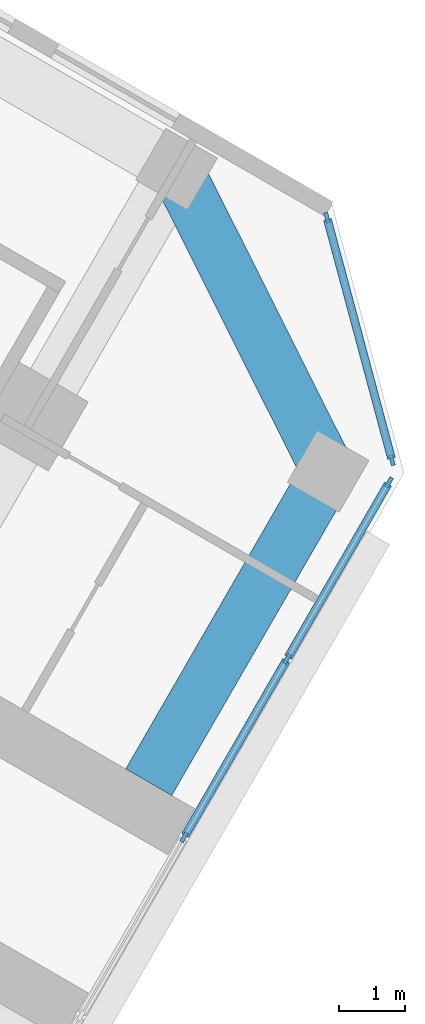
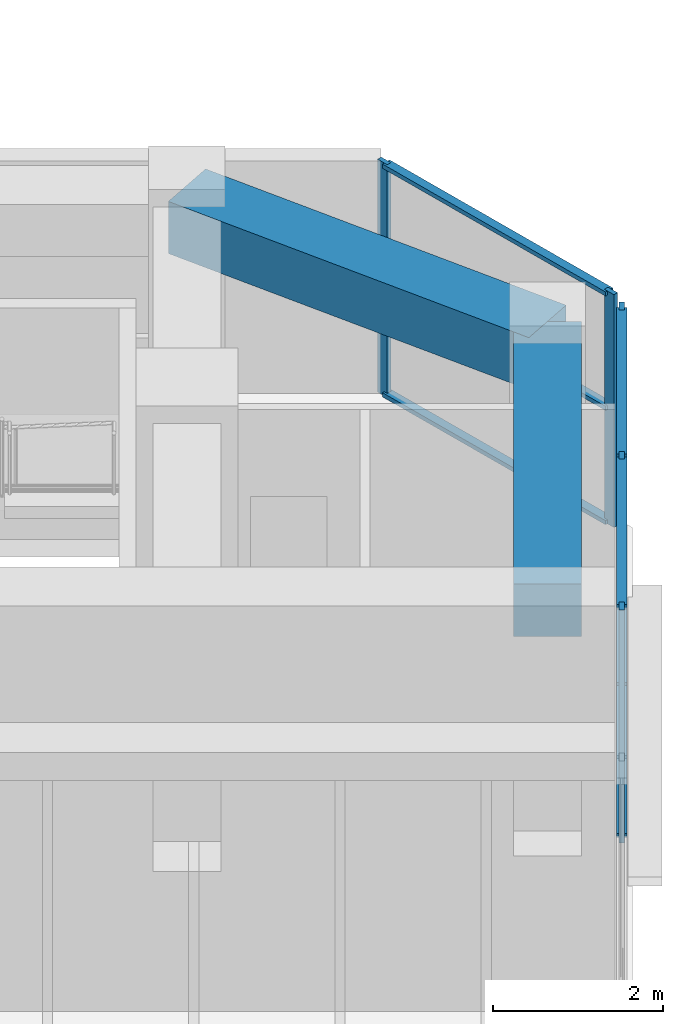
# One storey, part 8 of 19: 12 members, 2 beams, 2 elements without a shape of their own.
"""IFC4 building model written with IfcOpenShell, lengths in metres."""

import ifcopenshell
import ifcopenshell.guid

model = None  # the IFC model being written
_history = None  # IfcOwnerHistory: only IFC2X3 demands one
_inside = {}  # id of a spatial element -> (the spatial element, [elements in it])
_under = {}  # id of a project, library or spatial element -> (it, [spatial elements below it])
_declared = {}  # id of a project -> (the project, [libraries it declares])
_typed = {}  # id of a type object -> (the type object, [elements of that type])
_made_of = {}  # id of a material, layer set ... -> (it, [elements and type objects made of it])


def new_model(schema):
    """Start an empty IFC model of exactly this schema.

    Asked for "IFC4X3", IfcOpenShell would pick the latest addendum, in which some entities
    have other attributes; the version numbers below select the first issue.
    IFC2X3 requires an IfcOwnerHistory on every rooted entity: one is made here for all.
    """
    global model, _history
    if schema == "IFC4X3":
        model = ifcopenshell.file(schema_version=(4, 3, 0, 0))
    else:
        model = ifcopenshell.file(schema=schema)
    _inside.clear()
    _under.clear()
    _declared.clear()
    _typed.clear()
    _made_of.clear()
    _history = None
    if model.schema == "IFC2X3":
        org = make("IfcOrganization", Name="unknown")
        user = make(
            "IfcPersonAndOrganization",
            ThePerson=make("IfcPerson", FamilyName="unknown"),
            TheOrganization=org,
        )
        app = make(
            "IfcApplication",
            ApplicationDeveloper=org,
            Version="unknown",
            ApplicationFullName="unknown",
            ApplicationIdentifier="unknown",
        )
        _history = make(
            "IfcOwnerHistory",
            OwningUser=user,
            OwningApplication=app,
            ChangeAction="ADDED",
            CreationDate=0,
        )
    return model


def make(cls, **values):
    """One entity of the class cls with the attributes given. An attribute that is None is left unset."""
    return model.create_entity(
        cls, **{name: value for name, value in values.items() if value is not None}
    )


def rooted(cls, **values):
    """An entity with a GlobalId (a new one), such as an element, a storey or a relation."""
    return make(cls, GlobalId=ifcopenshell.guid.new(), OwnerHistory=_history, **values)


def si_unit(unit_type, name, prefix=None):
    """IfcSIUnit, for example si_unit("LENGTHUNIT", "METRE", prefix="MILLI")."""
    return make("IfcSIUnit", UnitType=unit_type, Prefix=prefix, Name=name)


def assignment(units):
    """IfcUnitAssignment: the units of a project."""
    return None if units is None else make("IfcUnitAssignment", Units=units)


def point(xyz):
    """IfcCartesianPoint."""
    return None if xyz is None else make("IfcCartesianPoint", Coordinates=xyz)


def direction(xyz):
    """IfcDirection."""
    return None if xyz is None else make("IfcDirection", DirectionRatios=xyz)


def frame(location, z_axis=None, x_axis=None):
    """IfcAxis2Placement3D, a coordinate frame: its origin and axes. An axis left out is left unset."""
    return make(
        "IfcAxis2Placement3D",
        Location=point(location),
        Axis=direction(z_axis),
        RefDirection=direction(x_axis),
    )


def frame_2d(location, x_axis=None):
    """IfcAxis2Placement2D, a coordinate frame in the plane: its origin and x axis."""
    return make(
        "IfcAxis2Placement2D", Location=point(location), RefDirection=direction(x_axis)
    )


def origin():
    """The frame at (0, 0, 0) with its axes left unset."""
    return frame((0.0, 0.0, 0.0))


def origin_2d():
    """The frame at (0, 0) in the plane with its x axis left unset."""
    return frame_2d((0.0, 0.0))


def place(relative_to, where):
    """IfcLocalPlacement: puts the frame where relative to a parent placement (None: the world)."""
    return make(
        "IfcLocalPlacement", PlacementRelTo=relative_to, RelativePlacement=where
    )


def context(
    kind, dimensions, precision=None, world=None, true_north=None, identifier=None
):
    """IfcGeometricRepresentationContext, for example the 3D "Model" context."""
    return make(
        "IfcGeometricRepresentationContext",
        ContextIdentifier=identifier,
        ContextType=kind,
        CoordinateSpaceDimension=dimensions,
        Precision=precision,
        WorldCoordinateSystem=world,
        TrueNorth=true_north,
    )


def subcontext(parent, identifier, kind, view, scale=None):
    """IfcGeometricRepresentationSubContext, for example "Body" below "Model"."""
    return make(
        "IfcGeometricRepresentationSubContext",
        ContextIdentifier=identifier,
        ContextType=kind,
        ParentContext=parent,
        TargetScale=scale,
        TargetView=view,
    )


def project(units=None, contexts=None):
    """IfcProject with its units and contexts."""
    return rooted(
        "IfcProject",
        Name="project",
        RepresentationContexts=contexts,
        UnitsInContext=assignment(units),
    )


def spatial(cls, under=None, at=None, **own):
    """A site, building, storey or space (cls), placed at a placement, below another one or the project."""
    s = rooted(cls, ObjectPlacement=at, **own)
    if under is not None:
        _under.setdefault(under.id(), (under, []))[1].append(s)
    return s


def profile(cls, at=None, kind="AREA", **sizes):
    """A parametric profile (cls). Its sizes go by their IFC names, for example OverallWidth=200.0."""
    return make(cls, ProfileType=kind, Position=at, **sizes)


def rectangle(**sizes):
    """IfcRectangleProfileDef."""
    return profile("IfcRectangleProfileDef", **sizes)


def extrude(swept, where, along, depth):
    """IfcExtrudedAreaSolid: the profile swept, set in the frame where, extruded along a direction by depth."""
    return make(
        "IfcExtrudedAreaSolid",
        SweptArea=swept,
        Position=where,
        ExtrudedDirection=direction(along),
        Depth=depth,
    )


def shape(context_of_items, identifier, shape_type, items):
    """IfcShapeRepresentation: the items that make up one representation, for example the "Body"."""
    return make(
        "IfcShapeRepresentation",
        ContextOfItems=context_of_items,
        RepresentationIdentifier=identifier,
        RepresentationType=shape_type,
        Items=items,
    )


def material(Name=None, Category=None):
    """IfcMaterial."""
    return make("IfcMaterial", Name=Name, Category=Category)


def material_profile(
    of_material, cross_section, Name=None, Category=None, Priority=None
):
    """IfcMaterialProfile: a cross section and its material."""
    return make(
        "IfcMaterialProfile",
        Name=Name,
        Material=of_material,
        Profile=cross_section,
        Priority=Priority,
        Category=Category,
    )


def profile_set(profiles, Name=None, composite=None):
    """IfcMaterialProfileSet."""
    return make(
        "IfcMaterialProfileSet",
        Name=Name,
        MaterialProfiles=profiles,
        CompositeProfile=composite,
    )


def made_of(thing, what):
    """Note that an element or type object is made of a material, layer set ...; save() writes the relation."""
    if what is not None:
        _made_of.setdefault(what.id(), (what, []))[1].append(thing)
    return thing


def type_object(cls, material=None, **own):
    """A type object (cls), such as IfcWallType, which elements share."""
    return made_of(rooted(cls, **own), material)


def element(
    cls,
    number,
    at=None,
    inside=None,
    cuts=None,
    type_object=None,
    material=None,
    context=None,
    identifier="Body",
    shape_type=None,
    held_by="IfcProductDefinitionShape",
    body=None,
    shapes=None,
    **own,
):
    """One element of the class cls, such as IfcWall. Its Tag is "e" and its number.

    at: its placement. inside: the storey or other place that contains it. cuts: it is an
    opening in that element (IfcRelVoidsElement). A single representation is given by context,
    identifier, shape_type and body (its items); several are given by shapes. held_by: the class
    of the entity that holds the representations. save() writes the other relations.
    """
    e = rooted(cls, Tag="e%d" % number, ObjectPlacement=at, **own)
    if body is not None:
        shapes = [shape(context, identifier, shape_type, body)]
    if shapes is not None:
        e.Representation = make(held_by, Representations=shapes)
    if inside is not None:
        _inside.setdefault(inside.id(), (inside, []))[1].append(e)
    if cuts is not None:
        rooted(
            "IfcRelVoidsElement", RelatingBuildingElement=cuts, RelatedOpeningElement=e
        )
    if type_object is not None:
        _typed.setdefault(type_object.id(), (type_object, []))[1].append(e)
    return made_of(e, material)


def aggregate(whole, parts):
    """IfcRelAggregates: a whole, such as a stair, and the parts it consists of."""
    return rooted("IfcRelAggregates", RelatingObject=whole, RelatedObjects=parts)


def save(model, path):
    """Write the relations noted so far, then the file.

    IfcRelAggregates (storeys below a building ...), IfcRelContainedInSpatialStructure (elements
    in a storey), IfcRelDefinesByType, IfcRelAssociatesMaterial and IfcRelDeclares: one each for
    every whole, place, type object, material and project.
    """
    for whole, parts in _under.values():
        aggregate(whole, parts)
    for where, things in _inside.values():
        rooted(
            "IfcRelContainedInSpatialStructure",
            RelatedElements=things,
            RelatingStructure=where,
        )
    for kind, things in _typed.values():
        rooted("IfcRelDefinesByType", RelatedObjects=things, RelatingType=kind)
    for what, things in _made_of.values():
        rooted("IfcRelAssociatesMaterial", RelatedObjects=things, RelatingMaterial=what)
    for by, libraries in _declared.values():
        rooted("IfcRelDeclares", RelatingContext=by, RelatedDefinitions=libraries)
    model.write(path)


model = new_model("IFC4")

# Units and contexts
model_context = context("Model", 3, precision=1e-05, world=origin(), true_north=direction((0.0, 1.0)))
body_context = subcontext(model_context, "Body", "Model", "MODEL_VIEW")
ifc_project = project(units=[si_unit("LENGTHUNIT", "METRE"), si_unit("AREAUNIT", "SQUARE_METRE"), si_unit("VOLUMEUNIT", "CUBIC_METRE"), si_unit("PLANEANGLEUNIT", "RADIAN"), si_unit("MASSUNIT", "GRAM", prefix="KILO")], contexts=[model_context])

# Site, building, storey
site_placement = place(None, origin())
site = spatial("IfcSite", under=ifc_project, at=site_placement, CompositionType="ELEMENT")
building_placement = place(site_placement, origin())
building = spatial("IfcBuilding", under=site, at=building_placement, Name="Kosmar Iwan School Tower", CompositionType="ELEMENT")
storey_placement = place(building_placement, frame((0.0, 0.0, 172.39990234375)))
storey = spatial("IfcBuildingStorey", under=building, at=storey_placement, Name="L43", CompositionType="ELEMENT", Elevation=172.39990234375)

# Curtain wall, members
ifc_material_1 = material(Name="Dark glass in black aluminium frame", Category="aluminium")
curtain_wall_type_1 = type_object("IfcCurtainWallType", Name="Tower curtain wall dark glass", PredefinedType="USERDEFINED", material=ifc_material_1)
curtain_wall_1_placement = place(storey_placement, origin())
curtain_wall_1 = element("IfcCurtainWall", 1, at=curtain_wall_1_placement, inside=storey, type_object=curtain_wall_type_1, Name="Curtain wall L43-F03", ObjectType="UNITISED CURTAIN WALL", PredefinedType="USERDEFINED")
ifc_material_2 = material(Name="Black anodised aluminium", Category="aluminium")
ifc_material_profile_1 = material_profile(ifc_material_2, rectangle(XDim=0.06005859375, YDim=0.159912109375, at=origin_2d()), Name="MULLION 60x160")
ifc_profile_set_1 = profile_set([ifc_material_profile_1], Name="Black anodised aluminium")
member_type_1 = type_object("IfcMemberType", Name="Mullion 60x160", PredefinedType="MULLION", material=ifc_profile_set_1)
member_1_placement = place(storey_placement, frame((30.631103515625, -15.8955078125, 0.0), z_axis=(0.0, 0.0, 1.0), x_axis=(-0.866025405329, 0.499999997325, 0.0)))
member_1 = element("IfcMember", 2, at=member_1_placement, type_object=member_type_1, Name="CW1 mullion 4", PredefinedType="MULLION", context=body_context, shape_type="SweptSolid", body=[
    extrude(rectangle(XDim=0.06005859375, YDim=0.159912109375, at=origin_2d()), origin(), (0.0, 0.0, 1.0), 3.35009765625),
])
member_2_placement = place(storey_placement, frame((32.1806640625, -13.21142578125, 0.0), z_axis=(0.0, 0.0, 1.0), x_axis=(-0.866025405329, 0.499999997325, 0.0)))
member_2 = element("IfcMember", 3, at=member_2_placement, type_object=member_type_1, Name="CW1 mullion 5", PredefinedType="MULLION", context=body_context, shape_type="SweptSolid", body=[
    extrude(rectangle(XDim=0.06005859375, YDim=0.159912109375, at=origin_2d()), origin(), (0.0, 0.0, 1.0), 3.35009765625),
])
member_3_placement = place(storey_placement, frame((33.71533203125, -10.55322265625, 0.0), z_axis=(0.0, 0.0, 1.0), x_axis=(-0.866025405329, 0.499999997325, 0.0)))
member_3 = element("IfcMember", 4, at=member_3_placement, type_object=member_type_1, Name="CW1 mullion 6", PredefinedType="MULLION", context=body_context, shape_type="SweptSolid", body=[
    extrude(rectangle(XDim=0.06005859375, YDim=0.159912109375, at=origin_2d()), origin(), (0.0, 0.0, 1.0), 3.35009765625),
])

ifc_material_3 = material(Name="Dark glass in black aluminium frame", Category="aluminium")
curtain_wall_type_2 = type_object("IfcCurtainWallType", Name="Chamfer curtain wall dark glass", PredefinedType="USERDEFINED", material=ifc_material_3)
curtain_wall_2_placement = place(storey_placement, origin())
curtain_wall_2 = element("IfcCurtainWall", 5, at=curtain_wall_2_placement, inside=storey, type_object=curtain_wall_type_2, Name="Curtain wall L43-F04", ObjectType="FACETED CURTAIN WALL", PredefinedType="USERDEFINED")
member_4_placement = place(storey_placement, frame((33.7587890625, -10.2236328125, 0.0), z_axis=(0.0, 0.0, 1.0), x_axis=(-0.965925875495, -0.258818861462, 0.0)))
member_4 = element("IfcMember", 6, at=member_4_placement, type_object=member_type_1, Name="CW2 mullion 1", PredefinedType="MULLION", context=body_context, shape_type="SweptSolid", body=[
    extrude(rectangle(XDim=0.06005859375, YDim=0.159912109375, at=origin_2d()), origin(), (0.0, 0.0, 1.0), 3.35009765625),
])
member_5_placement = place(storey_placement, frame((32.78076171875, -6.5732421875, 0.0), z_axis=(0.0, 0.0, 1.0), x_axis=(-0.965925875495, -0.258818861462, 0.0)))
member_5 = element("IfcMember", 7, at=member_5_placement, type_object=member_type_1, Name="CW2 mullion 2", PredefinedType="MULLION", context=body_context, shape_type="SweptSolid", body=[
    extrude(rectangle(XDim=0.06005859375, YDim=0.159912109375, at=origin_2d()), origin(), (0.0, 0.0, 1.0), 3.35009765625),
])

# Beams
ifc_material_4 = material(Name="Concrete C50/60", Category="concrete")
ifc_material_profile_2 = material_profile(ifc_material_4, rectangle(XDim=0.800048828125, YDim=0.75, at=origin_2d()), Name="RC 800x750")
ifc_profile_set_2 = profile_set([ifc_material_profile_2], Name="Concrete C50/60")
beam_type = type_object("IfcBeamType", Name="RC tip beam 800x750", PredefinedType="BEAM", material=ifc_profile_set_2)
beam_1_placement = place(storey_placement, frame((30.517822265625, -5.841552734375, 2.97509765625), z_axis=(0.44809604203, -0.893985423325, 0.0), x_axis=(0.893985423325, 0.44809604203, 0.0)))
element("IfcBeam", 8, at=beam_1_placement, inside=storey, type_object=beam_type, Name="Tip beam CL", PredefinedType="BEAM", context=body_context, shape_type="SweptSolid", body=[
    extrude(rectangle(XDim=0.800048828125, YDim=0.75, at=origin_2d()), origin(), (0.0, 0.0, 1.0), 5.08935546875),
])
beam_2_placement = place(storey_placement, frame((32.79833984375, -10.391357421875, 2.97509765625), z_axis=(-0.499995103361, -0.866028230842, 0.0), x_axis=(0.866028230842, -0.499995103361, 0.0)))
element("IfcBeam", 9, at=beam_2_placement, inside=storey, type_object=beam_type, Name="Tip beam CL to corridor wall", PredefinedType="BEAM", context=body_context, shape_type="SweptSolid", body=[
    extrude(rectangle(XDim=0.800048828125, YDim=0.75, at=origin_2d()), origin(), (0.0, 0.0, 1.0), 5.39990234375),
])

# Member
ifc_material_5 = material(Name="Black anodised aluminium", Category="aluminium")
ifc_material_profile_3 = material_profile(ifc_material_5, rectangle(XDim=0.1201171875, YDim=0.06005859375, at=origin_2d()), Name="TRANSOM 60x120")
ifc_profile_set_3 = profile_set([ifc_material_profile_3], Name="Black anodised aluminium")
member_type_2 = type_object("IfcMemberType", Name="Transom 60x120", PredefinedType="USERDEFINED", material=ifc_profile_set_3)
member_6_placement = place(storey_placement, frame((30.64599609375, -15.869384765625, 0.030029296875), z_axis=(0.500035348339, 0.866004994449, 0.0), x_axis=(-0.866004994449, 0.500035348339, 0.0)))
member_6 = element("IfcMember", 10, at=member_6_placement, type_object=member_type_2, Name="CW1 transom 4.1", ObjectType="TRANSOM", PredefinedType="USERDEFINED", context=body_context, shape_type="SweptSolid", body=[
    extrude(rectangle(XDim=0.1201171875, YDim=0.06005859375, at=origin_2d()), origin(), (0.0, 0.0, 1.0), 3.039306640625),
])

member_7_placement = place(storey_placement, frame((30.64599609375, -15.869384765625, 3.320068359375), z_axis=(0.500035348339, 0.866004994449, 0.0), x_axis=(-0.866004994449, 0.500035348339, 0.0)))
member_7 = element("IfcMember", 11, at=member_7_placement, type_object=member_type_2, Name="CW1 transom 4.2", ObjectType="TRANSOM", PredefinedType="USERDEFINED", context=body_context, shape_type="SweptSolid", body=[
    extrude(rectangle(XDim=0.1201171875, YDim=0.06005859375, at=origin_2d()), origin(), (0.0, 0.0, 1.0), 3.039306640625),
])

member_8_placement = place(storey_placement, frame((32.19580078125, -13.185302734375, 0.030029296875), z_axis=(0.500022102064, 0.866012642776, 0.0), x_axis=(-0.866012642776, 0.500022102064, 0.0)))
member_8 = element("IfcMember", 12, at=member_8_placement, type_object=member_type_2, Name="CW1 transom 5.1", ObjectType="TRANSOM", PredefinedType="USERDEFINED", context=body_context, shape_type="SweptSolid", body=[
    extrude(rectangle(XDim=0.1201171875, YDim=0.06005859375, at=origin_2d()), origin(), (0.0, 0.0, 1.0), 3.009033203125),
])

member_9_placement = place(storey_placement, frame((32.19580078125, -13.185302734375, 3.320068359375), z_axis=(0.500022102064, 0.866012642776, 0.0), x_axis=(-0.866012642776, 0.500022102064, 0.0)))
member_9 = element("IfcMember", 13, at=member_9_placement, type_object=member_type_2, Name="CW1 transom 5.2", ObjectType="TRANSOM", PredefinedType="USERDEFINED", context=body_context, shape_type="SweptSolid", body=[
    extrude(rectangle(XDim=0.1201171875, YDim=0.06005859375, at=origin_2d()), origin(), (0.0, 0.0, 1.0), 3.009033203125),
])

aggregate(curtain_wall_1, [member_1, member_2, member_3, member_6, member_7, member_8, member_9])

member_10_placement = place(storey_placement, frame((33.7509765625, -10.194580078125, 0.030029296875), z_axis=(-0.258843273983, 0.965919333854, 0.0), x_axis=(-0.965919333854, -0.258843273983, 0.0)))
member_10 = element("IfcMember", 14, at=member_10_placement, type_object=member_type_2, Name="CW2 transom 1.1", ObjectType="TRANSOM", PredefinedType="USERDEFINED", context=body_context, shape_type="SweptSolid", body=[
    extrude(rectangle(XDim=0.1201171875, YDim=0.06005859375, at=origin_2d()), origin(), (0.0, 0.0, 1.0), 3.718994140625),
])

member_11_placement = place(storey_placement, frame((33.7509765625, -10.194580078125, 1.675048828125), z_axis=(-0.258843273983, 0.965919333854, 0.0), x_axis=(-0.965919333854, -0.258843273983, 0.0)))
member_11 = element("IfcMember", 15, at=member_11_placement, type_object=member_type_2, Name="CW2 transom 1.2", ObjectType="TRANSOM", PredefinedType="USERDEFINED", context=body_context, shape_type="SweptSolid", body=[
    extrude(rectangle(XDim=0.1201171875, YDim=0.06005859375, at=origin_2d()), origin(), (0.0, 0.0, 1.0), 3.718994140625),
])

member_12_placement = place(storey_placement, frame((33.7509765625, -10.194580078125, 3.320068359375), z_axis=(-0.258843273983, 0.965919333854, 0.0), x_axis=(-0.965919333854, -0.258843273983, 0.0)))
member_12 = element("IfcMember", 16, at=member_12_placement, type_object=member_type_2, Name="CW2 transom 1.3", ObjectType="TRANSOM", PredefinedType="USERDEFINED", context=body_context, shape_type="SweptSolid", body=[
    extrude(rectangle(XDim=0.1201171875, YDim=0.06005859375, at=origin_2d()), origin(), (0.0, 0.0, 1.0), 3.718994140625),
])

aggregate(curtain_wall_2, [member_4, member_5, member_10, member_11, member_12])

save(model, "model.ifc")
